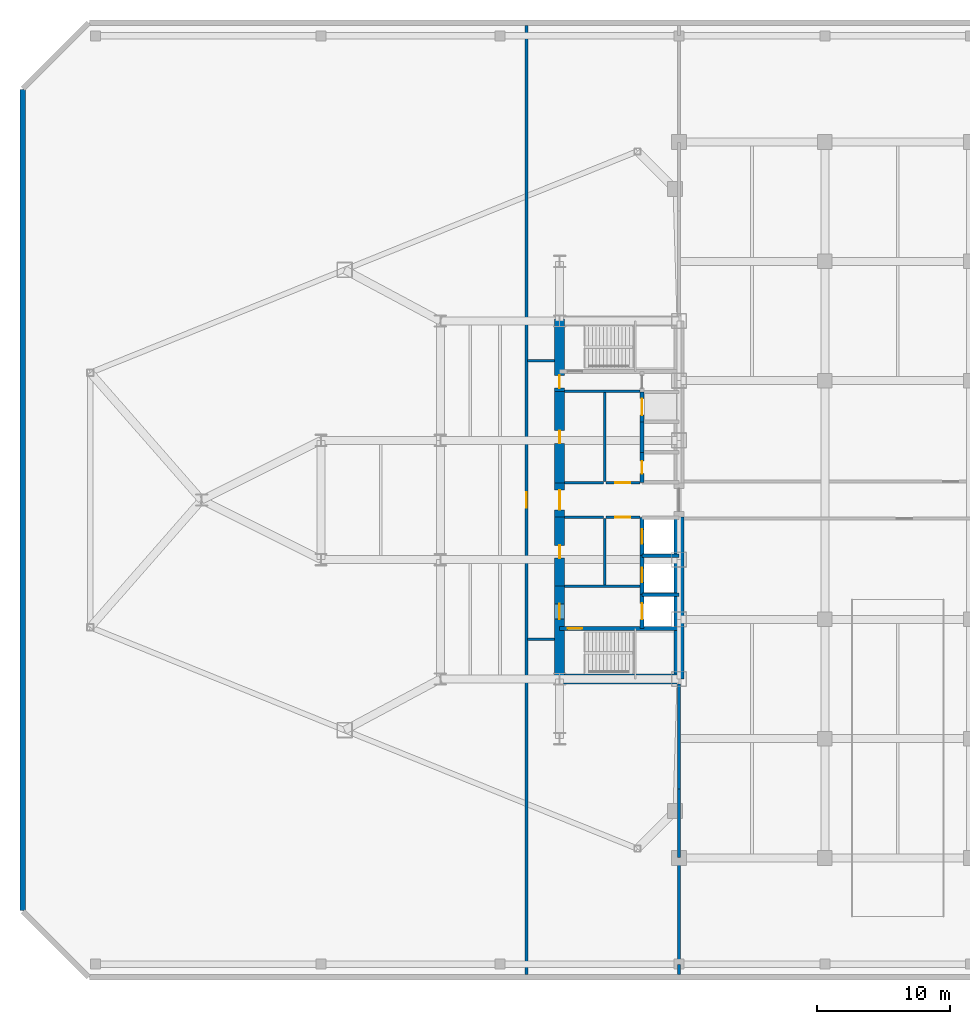
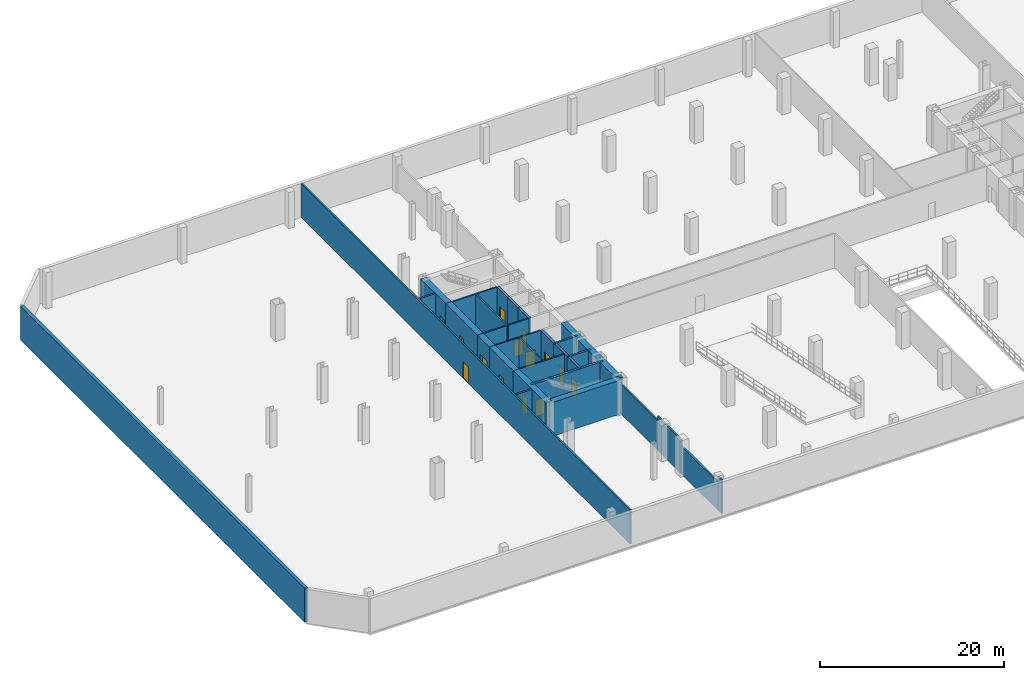
# One storey, part 9 of 18: 32 walls, 14 doors, 14 openings.
"""IFC4 building model written with IfcOpenShell, lengths in metres."""

from ifc_helpers import new_model, si_unit, direction, frame, frame_2d, origin, place, context, subcontext, project, spatial, rectangle, extrude, source, transform, mapped, material, layer, layer_set, type_object, type_shapes, element, fill, save


model = new_model("IFC4")

# Units and contexts
model_context = context("Model", 3, precision=1e-05, world=origin(), true_north=direction((0.0, 1.0)))
body_context = subcontext(model_context, "Body", "Model", "MODEL_VIEW")
ifc_project = project(units=[si_unit("LENGTHUNIT", "METRE"), si_unit("AREAUNIT", "SQUARE_METRE"), si_unit("VOLUMEUNIT", "CUBIC_METRE"), si_unit("PLANEANGLEUNIT", "RADIAN"), si_unit("MASSUNIT", "GRAM", prefix="KILO")], contexts=[model_context])

# Site, building, storey
site_placement = place(None, origin())
site = spatial("IfcSite", under=ifc_project, at=site_placement, CompositionType="ELEMENT")
building_placement = place(site_placement, origin())
building = spatial("IfcBuilding", under=site, at=building_placement, Name="Seokmaru Belvedere", CompositionType="ELEMENT")
storey_placement = place(building_placement, frame((0.0, 0.0, -4.800048828125)))
storey = spatial("IfcBuildingStorey", under=building, at=storey_placement, Name="B1", CompositionType="ELEMENT", Elevation=-4.800048828125)

# Walls
ifc_material_1 = material(Name="Fire-Rated Gypsum Shaftwall")
ifc_layer_1 = layer(ifc_material_1, 0.179931640625)
ifc_layer_set_1 = layer_set([ifc_layer_1], Name="Fire-Rated Gypsum Shaftwall")
wall_type_1 = type_object("IfcWallType", Name="Core Service Fire Partition 180", PredefinedType="PARTITIONING", material=ifc_layer_set_1)
for number, where, z_axis, x_axis, name in (
    (1, (-36.14990234375, -6.5, 0.0), (0.0, 0.0, 1.0), (1.0, 0.0, 0.0), "B1 West Firefighting Lobby Partition"),
    (2, (-36.14990234375, 8.199951171875, 0.0), (0.0, 0.0, 1.0), (1.0, 0.0, 0.0), "B1 West Smokeproof Vestibule Partition"),
):
    element("IfcWall", number, at=place(storey_placement, frame(where, z_axis=z_axis, x_axis=x_axis)), inside=storey, type_object=wall_type_1, Name=name, PredefinedType="PARTITIONING", context=body_context, shape_type="SweptSolid", body=[
        extrude(rectangle(XDim=5.699951171875, YDim=0.179931640625, at=frame_2d((2.85009765625, 0.0))), origin(), (0.0, 0.0, 1.0), 4.52001953125),
    ])
wall_1_placement = place(storey_placement, frame((-33.10009765625, -6.419921875, 0.0), z_axis=(0.0, 0.0, 1.0), x_axis=(0.0, 1.0, 0.0)))
element("IfcWall", 3, at=wall_1_placement, inside=storey, type_object=wall_type_1, Name="B1 West South Core Service Back Wall", PredefinedType="PARTITIONING", context=body_context, shape_type="SweptSolid", body=[
    extrude(rectangle(XDim=5.0400390625, YDim=0.179931640625, at=frame_2d((2.52001953125, 0.0))), origin(), (0.0, 0.0, 1.0), 4.52001953125),
])
wall_2_placement = place(storey_placement, frame((-33.10009765625, 1.3798828125, 0.0), z_axis=(0.0, 0.0, 1.0), x_axis=(0.0, 1.0, 0.0)))
element("IfcWall", 4, at=wall_2_placement, inside=storey, type_object=wall_type_1, Name="B1 West North Core Service Back Wall", PredefinedType="PARTITIONING", context=body_context, shape_type="SweptSolid", body=[
    extrude(rectangle(XDim=6.740234375, YDim=0.179931640625, at=frame_2d((3.3701171875, 0.0))), origin(), (0.0, 0.0, 1.0), 4.52001953125),
])

# Wall, opening, door
wall_3_placement = place(storey_placement, frame((-33.02001953125, -1.300048828125, 0.0), z_axis=(0.0, 0.0, 1.0), x_axis=(1.0, 0.0, 0.0)))
wall_3 = element("IfcWall", 5, at=wall_3_placement, inside=storey, type_object=wall_type_1, Name="B1 West South Lift Lobby Foyer Wall", PredefinedType="PARTITIONING", context=body_context, shape_type="SweptSolid", body=[
    extrude(rectangle(XDim=2.570068359375, YDim=0.179931640625, at=frame_2d((1.28515625, 0.0))), origin(), (0.0, 0.0, 1.0), 4.52001953125),
])
opening_1_placement = place(wall_3_placement, frame((0.7099609375, 0.0, 0.0)))
opening_1 = element("IfcOpeningElement", 6, at=opening_1_placement, cuts=wall_3, Name="Opening D02", PredefinedType="OPENING", context=body_context, shape_type="SweptSolid", body=[
    extrude(rectangle(XDim=1.14990234375, YDim=2.199951171875, at=frame_2d((0.574951171875, 1.10009765625))), frame((0.0, 0.10009765625, 0.0), z_axis=(0.0, -1.0, 0.0), x_axis=(1.0, 0.0, 0.0)), (0.0, 0.0, 1.0), 0.199951171875),
])
ifc_material_2 = material(Name="Fire-Rated Steel Leaf", Category="steel")
door_type_1 = type_object("IfcDoorType", Name="Lobby and Vestibule Fire Door 1150x2200", OperationType="NOTDEFINED", PredefinedType="DOOR", material=ifc_material_2)
shared_shape_1 = source(origin(), body_context, "Body", "SweptSolid", [
    extrude(rectangle(XDim=1.14990234375, YDim=2.199951171875, at=frame_2d((0.574951171875, 1.10009765625))), frame((0.0, 0.02490234375, 0.0), z_axis=(0.0, -1.0, 0.0), x_axis=(1.0, 0.0, 0.0)), (0.0, 0.0, 1.0), 0.050048828125),
])
type_shapes(door_type_1, [shared_shape_1])
door_1_placement = place(opening_1_placement, origin())
door_1 = element("IfcDoor", 7, at=door_1_placement, inside=storey, type_object=door_type_1, Name="B1 West South Core Foyer Door", OperationType="SINGLE_SWING_LEFT", OverallHeight=2.199951171875, OverallWidth=1.14990234375, PredefinedType="DOOR", context=body_context, shape_type="MappedRepresentation", body=[
    mapped(shared_shape_1, transform((0.0, 0.0, 0.0), scale=1.0)),
])
fill(opening_1, door_1)

wall_4_placement = place(storey_placement, frame((-33.02001953125, 1.300048828125, 0.0), z_axis=(0.0, 0.0, 1.0), x_axis=(1.0, 0.0, 0.0)))
wall_4 = element("IfcWall", 8, at=wall_4_placement, inside=storey, type_object=wall_type_1, Name="B1 West North Lift Lobby Foyer Wall", PredefinedType="PARTITIONING", context=body_context, shape_type="SweptSolid", body=[
    extrude(rectangle(XDim=2.570068359375, YDim=0.179931640625, at=frame_2d((1.28515625, 0.0))), origin(), (0.0, 0.0, 1.0), 4.52001953125),
])
opening_2_placement = place(wall_4_placement, frame((0.7099609375, 0.0, 0.0)))
opening_2 = element("IfcOpeningElement", 9, at=opening_2_placement, cuts=wall_4, Name="Opening D02", PredefinedType="OPENING", context=body_context, shape_type="SweptSolid", body=[
    extrude(rectangle(XDim=1.14990234375, YDim=2.199951171875, at=frame_2d((0.574951171875, 1.10009765625))), frame((0.0, 0.10009765625, 0.0), z_axis=(0.0, -1.0, 0.0), x_axis=(1.0, 0.0, 0.0)), (0.0, 0.0, 1.0), 0.199951171875),
])
door_2_placement = place(opening_2_placement, origin())
door_2 = element("IfcDoor", 10, at=door_2_placement, inside=storey, type_object=door_type_1, Name="B1 West North Lift Lobby Door", OperationType="SINGLE_SWING_RIGHT", OverallHeight=2.199951171875, OverallWidth=1.14990234375, PredefinedType="DOOR", context=body_context, shape_type="MappedRepresentation", body=[
    mapped(shared_shape_1, transform((0.0, 0.0, 0.0), scale=1.0)),
])
fill(opening_2, door_2)

# Walls
for number, where, z_axis, x_axis, name in (
    (11, (-36.14990234375, -1.300048828125, 0.0), (0.0, 0.0, 1.0), (1.0, 0.0, 0.0), "B1 West Foyer Side Wall S"),
    (12, (-36.14990234375, 1.300048828125, 0.0), (0.0, 0.0, 1.0), (1.0, 0.0, 0.0), "B1 West Foyer Side Wall N"),
):
    element("IfcWall", number, at=place(storey_placement, frame(where, z_axis=z_axis, x_axis=x_axis)), inside=storey, type_object=wall_type_1, Name=name, PredefinedType="PARTITIONING", context=body_context, shape_type="SweptSolid", body=[
        extrude(rectangle(XDim=2.949951171875, YDim=0.179931640625, at=frame_2d((1.47509765625, 0.0))), origin(), (0.0, 0.0, 1.0), 4.52001953125),
    ])
ifc_material_3 = material(Name="Concrete C50 (50 MPa)", Category="concrete")
ifc_layer_2 = layer(ifc_material_3, 0.25)
ifc_layer_set_2 = layer_set([ifc_layer_2], Name="Concrete C50 (50 MPa)")
wall_type_2 = type_object("IfcWallType", Name="Hoistway Transverse Concrete Divider Wall 250", PredefinedType="SHEAR", material=ifc_layer_set_2)
for number, where, z_axis, x_axis, name in (
    (13, (-30.300048828125, -7.14990234375, 0.0), (0.0, 0.0, 1.0), (1.0, 0.0, 0.0), "B1 West Hoistway Divider Core Wall 1"),
    (14, (-30.300048828125, -4.199951171875, 0.0), (0.0, 0.0, 1.0), (1.0, 0.0, 0.0), "B1 West Hoistway Divider Core Wall 2"),
):
    element("IfcWall", number, at=place(storey_placement, frame(where, z_axis=z_axis, x_axis=x_axis)), inside=storey, type_object=wall_type_2, Name=name, PredefinedType="SHEAR", context=body_context, shape_type="SweptSolid", body=[
        extrude(rectangle(XDim=2.800048828125, YDim=0.25, at=frame_2d((1.39990234375, 0.0))), origin(), (0.0, 0.0, 1.0), 4.52001953125),
    ])
ifc_layer_3 = layer(ifc_material_1, 0.199951171875)
ifc_layer_set_3 = layer_set([ifc_layer_3], Name="Fire-Rated Gypsum Shaftwall")
wall_type_3 = type_object("IfcWallType", Name="Inter-Tenancy Fire Compartment Partition 200", PredefinedType="PARTITIONING", material=ifc_layer_set_3)
for number, where, z_axis, x_axis, name in (
    (15, (-38.9150390625, -10.5, 0.0), (0.0, 0.0, 1.0), (1.0, 0.0, 0.0), "B1 Interior Partition 001"),
    (16, (-38.9150390625, 10.5, 0.0), (0.0, 0.0, 1.0), (1.0, 0.0, 0.0), "B1 Interior Partition 006"),
):
    element("IfcWall", number, at=place(storey_placement, frame(where, z_axis=z_axis, x_axis=x_axis)), inside=storey, type_object=wall_type_3, Name=name, PredefinedType="PARTITIONING", context=body_context, shape_type="SweptSolid", body=[
        extrude(rectangle(XDim=2.03515625, YDim=0.199951171875, at=frame_2d((1.017578125, 0.0))), origin(), (0.0, 0.0, 1.0), 4.52001953125),
    ])

# Wall, opening, door
wall_5_placement = place(storey_placement, frame((-39.0, -35.794921875, 0.0), z_axis=(0.0, 0.0, 1.0), x_axis=(0.0, 1.0, 0.0)))
wall_5 = element("IfcWall", 17, at=wall_5_placement, inside=storey, type_object=wall_type_3, Name="B1 Interior Partition 008", PredefinedType="PARTITIONING", context=body_context, shape_type="SweptSolid", body=[
    extrude(rectangle(XDim=71.58984375, YDim=0.199951171875, at=frame_2d((35.794921875, 0.0))), origin(), (0.0, 0.0, 1.0), 4.52001953125),
])
opening_3_placement = place(wall_5_placement, frame((35.219970703125, 0.0, 0.0)))
opening_3 = element("IfcOpeningElement", 18, at=opening_3_placement, cuts=wall_5, Name="Opening D02", PredefinedType="OPENING", context=body_context, shape_type="SweptSolid", body=[
    extrude(rectangle(XDim=1.14990234375, YDim=2.199951171875, at=frame_2d((0.574951171875, 1.10009765625))), frame((0.0, 0.10986328125, 0.0), z_axis=(0.0, -1.0, 0.0), x_axis=(1.0, 0.0, 0.0)), (0.0, 0.0, 1.0), 0.219970703125),
])
door_3_placement = place(opening_3_placement, origin())
door_3 = element("IfcDoor", 19, at=door_3_placement, inside=storey, type_object=door_type_1, Name="B1 Interior Door 001", OperationType="SINGLE_SWING_LEFT", OverallHeight=2.199951171875, OverallWidth=1.14990234375, PredefinedType="DOOR", context=body_context, shape_type="MappedRepresentation", body=[
    mapped(shared_shape_1, transform((0.0, 0.0, 0.0), scale=1.0)),
])
fill(opening_3, door_3)

# Walls
wall_6_placement = place(storey_placement, frame((-27.5, -35.794921875, 0.0), z_axis=(0.0, 0.0, 1.0), x_axis=(0.0, 1.0, 0.0)))
element("IfcWall", 20, at=wall_6_placement, inside=storey, type_object=wall_type_3, Name="B1 Interior Partition 009", PredefinedType="PARTITIONING", context=body_context, shape_type="SweptSolid", body=[
    extrude(rectangle(XDim=0.77490234375, YDim=0.199951171875, at=frame_2d((0.387451171875, 0.0))), origin(), (0.0, 0.0, 1.0), 4.52001953125),
])
wall_7_placement = place(storey_placement, frame((-27.5, -35.02001953125, 0.0), z_axis=(0.0, 0.0, 1.0), x_axis=(0.0, 1.0, 0.0)))
element("IfcWall", 21, at=wall_7_placement, inside=storey, type_object=wall_type_3, Name="B1 Interior Partition 009 Part 2", PredefinedType="PARTITIONING", context=body_context, shape_type="SweptSolid", body=[
    extrude(rectangle(XDim=8.0400390625, YDim=0.199951171875, at=frame_2d((4.02001953125, 0.0))), origin(), (0.0, 0.0, 1.0), 3.719970703125),
])
wall_8_placement = place(storey_placement, frame((-27.5, -26.97998046875, 0.0), z_axis=(0.0, 0.0, 1.0), x_axis=(0.0, 1.0, 0.0)))
element("IfcWall", 22, at=wall_8_placement, inside=storey, type_object=wall_type_3, Name="B1 Interior Partition 009 Part 3", PredefinedType="PARTITIONING", context=body_context, shape_type="SweptSolid", body=[
    extrude(rectangle(XDim=5.16748046875, YDim=0.199951171875, at=frame_2d((2.583740234375, 0.0))), origin(), (0.0, 0.0, 1.0), 4.52001953125),
])
wall_9_placement = place(storey_placement, frame((-27.5, -21.8125, 0.0), z_axis=(0.0, 0.0, 1.0), x_axis=(0.0, 1.0, 0.0)))
element("IfcWall", 23, at=wall_9_placement, inside=storey, type_object=wall_type_3, Name="B1 Interior Partition 009 Part 4", PredefinedType="PARTITIONING", context=body_context, shape_type="SweptSolid", body=[
    extrude(rectangle(XDim=7.9326171875, YDim=0.199951171875, at=frame_2d((3.96630859375, 0.0))), origin(), (0.0, 0.0, 1.0), 3.93212890625),
])

# Wall, opening, door
ifc_layer_4 = layer(ifc_material_3, 0.300048828125)
ifc_layer_set_4 = layer_set([ifc_layer_4], Name="Concrete C50 (50 MPa)")
wall_type_4 = type_object("IfcWallType", Name="Internal Core Stair and Hoistway Wall 300", PredefinedType="SHEAR", material=ifc_layer_set_4)
wall_10_placement = place(storey_placement, frame((-36.5, -9.699951171875, 0.0), z_axis=(0.0, 0.0, 1.0), x_axis=(1.0, 0.0, 0.0)))
wall_10 = element("IfcWall", 24, at=wall_10_placement, inside=storey, type_object=wall_type_4, Name="B1 West Stair ST-1 Enclosure Wall", PredefinedType="SHEAR", context=body_context, shape_type="SweptSolid", body=[
    extrude(rectangle(XDim=9.0, YDim=0.300048828125, at=frame_2d((4.5, 0.0))), origin(), (0.0, 0.0, 1.0), 4.52001953125),
])
opening_4_placement = place(wall_10_placement, frame((0.60009765625, 0.0, 0.0)))
opening_4 = element("IfcOpeningElement", 25, at=opening_4_placement, cuts=wall_10, Name="Opening D01", PredefinedType="OPENING", context=body_context, shape_type="SweptSolid", body=[
    extrude(rectangle(XDim=1.10009765625, YDim=2.199951171875, at=frame_2d((0.550048828125, 1.10009765625))), frame((0.0, 0.16015625, 0.0), z_axis=(0.0, -1.0, 0.0), x_axis=(1.0, 0.0, 0.0)), (0.0, 0.0, 1.0), 0.320068359375),
])
door_type_2 = type_object("IfcDoorType", Name="Special Escape Stair Smokeproof Fire Door 1100x2200", OperationType="NOTDEFINED", PredefinedType="DOOR", material=ifc_material_2)
shared_shape_2 = source(origin(), body_context, "Body", "SweptSolid", [
    extrude(rectangle(XDim=1.10009765625, YDim=2.199951171875, at=frame_2d((0.550048828125, 1.10009765625))), frame((0.0, 0.02490234375, 0.0), z_axis=(0.0, -1.0, 0.0), x_axis=(1.0, 0.0, 0.0)), (0.0, 0.0, 1.0), 0.050048828125),
])
type_shapes(door_type_2, [shared_shape_2])
door_4_placement = place(opening_4_placement, frame((1.10009765625, 0.0, 0.0), z_axis=(0.0, 0.0, 1.0), x_axis=(-1.0, 0.0, 0.0)))
door_4 = element("IfcDoor", 26, at=door_4_placement, inside=storey, type_object=door_type_2, Name="B1 West Special Escape Stair ST-1 Door", OperationType="SINGLE_SWING_LEFT", OverallHeight=2.199951171875, OverallWidth=1.10009765625, PredefinedType="DOOR", context=body_context, shape_type="MappedRepresentation", body=[
    mapped(shared_shape_2, transform((0.0, 0.0, 0.0), scale=1.0)),
])
fill(opening_4, door_4)

wall_11_placement = place(storey_placement, frame((-30.300048828125, -9.679931640625, 0.0), z_axis=(0.0, 0.0, 1.0), x_axis=(0.0, 1.0, 0.0)))
wall_11 = element("IfcWall", 27, at=wall_11_placement, inside=storey, type_object=wall_type_4, Name="B1 West Firefighting Lift Shaft Front Wall", PredefinedType="SHEAR", context=body_context, shape_type="SweptSolid", body=[
    extrude(rectangle(XDim=2.559814453125, YDim=0.300048828125, at=frame_2d((1.27978515625, 0.0))), origin(), (0.0, 0.0, 1.0), 4.52001953125),
])
opening_5_placement = place(wall_11_placement, frame((0.679931640625, 0.0, 0.0)))
opening_5 = element("IfcOpeningElement", 28, at=opening_5_placement, cuts=wall_11, Name="Opening LD2", PredefinedType="OPENING", context=body_context, shape_type="SweptSolid", body=[
    extrude(rectangle(XDim=1.199951171875, YDim=2.25, at=frame_2d((0.60009765625, 1.125))), frame((0.0, 0.16015625, 0.0), z_axis=(0.0, -1.0, 0.0), x_axis=(1.0, 0.0, 0.0)), (0.0, 0.0, 1.0), 0.320068359375),
])
ifc_material_4 = material(Name="Stainless Steel 316", Category="steel")
door_type_3 = type_object("IfcDoorType", Name="Firefighting Lift Sliding Landing Door 1200x2250", OperationType="DOUBLE_DOOR_SLIDING", PredefinedType="DOOR", material=ifc_material_4)
shared_shape_3 = source(origin(), body_context, "Body", "SweptSolid", [
    extrude(rectangle(XDim=1.199951171875, YDim=2.25, at=frame_2d((0.60009765625, 1.125))), frame((0.0, 0.02490234375, 0.0), z_axis=(0.0, -1.0, 0.0), x_axis=(1.0, 0.0, 0.0)), (0.0, 0.0, 1.0), 0.050048828125),
])
type_shapes(door_type_3, [shared_shape_3])
door_5_placement = place(opening_5_placement, origin())
door_5 = element("IfcDoor", 29, at=door_5_placement, inside=storey, type_object=door_type_3, Name="B1 West Firefighting Lift Landing Door", OperationType="DOUBLE_DOOR_SLIDING", OverallHeight=2.25, OverallWidth=1.199951171875, PredefinedType="DOOR", context=body_context, shape_type="MappedRepresentation", body=[
    mapped(shared_shape_3, transform((0.0, 0.0, 0.0), scale=1.0)),
])
fill(opening_5, door_5)

wall_12_placement = place(storey_placement, frame((-30.300048828125, -7.1201171875, 0.0), z_axis=(0.0, 0.0, 1.0), x_axis=(0.0, 1.0, 0.0)))
wall_12 = element("IfcWall", 30, at=wall_12_placement, inside=storey, type_object=wall_type_4, Name="B1 West Low-Rise Lift PL-1 Front Wall", PredefinedType="SHEAR", context=body_context, shape_type="SweptSolid", body=[
    extrude(rectangle(XDim=2.920166015625, YDim=0.300048828125, at=frame_2d((1.4599609375, 0.0))), origin(), (0.0, 0.0, 1.0), 4.52001953125),
])
opening_6_placement = place(wall_12_placement, frame((0.909912109375, 0.0, 0.0)))
opening_6 = element("IfcOpeningElement", 31, at=opening_6_placement, cuts=wall_12, Name="Opening LD1", PredefinedType="OPENING", context=body_context, shape_type="SweptSolid", body=[
    extrude(rectangle(XDim=1.10009765625, YDim=2.199951171875, at=frame_2d((0.550048828125, 1.10009765625))), frame((0.0, 0.16015625, 0.0), z_axis=(0.0, -1.0, 0.0), x_axis=(1.0, 0.0, 0.0)), (0.0, 0.0, 1.0), 0.320068359375),
])
door_type_4 = type_object("IfcDoorType", Name="Passenger Lift Sliding Landing Door 1100x2200", OperationType="DOUBLE_DOOR_SLIDING", PredefinedType="DOOR", material=ifc_material_4)
shared_shape_4 = source(origin(), body_context, "Body", "SweptSolid", [
    extrude(rectangle(XDim=1.10009765625, YDim=2.199951171875, at=frame_2d((0.550048828125, 1.10009765625))), frame((0.0, 0.02490234375, 0.0), z_axis=(0.0, -1.0, 0.0), x_axis=(1.0, 0.0, 0.0)), (0.0, 0.0, 1.0), 0.050048828125),
])
type_shapes(door_type_4, [shared_shape_4])
door_6_placement = place(opening_6_placement, origin())
door_6 = element("IfcDoor", 32, at=door_6_placement, inside=storey, type_object=door_type_4, Name="B1 West Low-Rise Lift PL-1 Landing Door", OperationType="DOUBLE_DOOR_SLIDING", OverallHeight=2.199951171875, OverallWidth=1.10009765625, PredefinedType="DOOR", context=body_context, shape_type="MappedRepresentation", body=[
    mapped(shared_shape_4, transform((0.0, 0.0, 0.0), scale=1.0)),
])
fill(opening_6, door_6)

wall_13_placement = place(storey_placement, frame((-30.300048828125, -4.199951171875, 0.0), z_axis=(0.0, 0.0, 1.0), x_axis=(0.0, 1.0, 0.0)))
wall_13 = element("IfcWall", 33, at=wall_13_placement, inside=storey, type_object=wall_type_4, Name="B1 West Low-Rise Lift PL-2 Front Wall", PredefinedType="SHEAR", context=body_context, shape_type="SweptSolid", body=[
    extrude(rectangle(XDim=2.8798828125, YDim=0.300048828125, at=frame_2d((1.43994140625, 0.0))), origin(), (0.0, 0.0, 1.0), 4.52001953125),
])
opening_7_placement = place(wall_13_placement, frame((0.889892578125, 0.0, 0.0)))
opening_7 = element("IfcOpeningElement", 34, at=opening_7_placement, cuts=wall_13, Name="Opening LD1", PredefinedType="OPENING", context=body_context, shape_type="SweptSolid", body=[
    extrude(rectangle(XDim=1.10009765625, YDim=2.199951171875, at=frame_2d((0.550048828125, 1.10009765625))), frame((0.0, 0.16015625, 0.0), z_axis=(0.0, -1.0, 0.0), x_axis=(1.0, 0.0, 0.0)), (0.0, 0.0, 1.0), 0.320068359375),
])
door_7_placement = place(opening_7_placement, origin())
door_7 = element("IfcDoor", 35, at=door_7_placement, inside=storey, type_object=door_type_4, Name="B1 West Low-Rise Lift PL-2 Landing Door", OperationType="DOUBLE_DOOR_SLIDING", OverallHeight=2.199951171875, OverallWidth=1.10009765625, PredefinedType="DOOR", context=body_context, shape_type="MappedRepresentation", body=[
    mapped(shared_shape_4, transform((0.0, 0.0, 0.0), scale=1.0)),
])
fill(opening_7, door_7)

wall_14_placement = place(storey_placement, frame((-30.300048828125, 1.320068359375, 0.0), z_axis=(0.0, 0.0, 1.0), x_axis=(0.0, 1.0, 0.0)))
wall_14 = element("IfcWall", 36, at=wall_14_placement, inside=storey, type_object=wall_type_4, Name="B1 West North Hoistway Wall PH1", PredefinedType="SHEAR", context=body_context, shape_type="SweptSolid", body=[
    extrude(rectangle(XDim=2.280029296875, YDim=0.300048828125, at=frame_2d((1.14013671875, 0.0))), origin(), (0.0, 0.0, 1.0), 4.52001953125),
])
opening_8_placement = place(wall_14_placement, frame((0.6650390625, 0.0, 0.0)))
opening_8 = element("IfcOpeningElement", 37, at=opening_8_placement, cuts=wall_14, Name="Opening D04", PredefinedType="OPENING", context=body_context, shape_type="SweptSolid", body=[
    extrude(rectangle(XDim=0.949951171875, YDim=2.14990234375, at=frame_2d((0.47509765625, 1.074951171875))), frame((0.0, 0.16015625, 0.0), z_axis=(0.0, -1.0, 0.0), x_axis=(1.0, 0.0, 0.0)), (0.0, 0.0, 1.0), 0.320068359375),
])
door_type_5 = type_object("IfcDoorType", Name="Core Service Room Fire Door 950x2150", OperationType="NOTDEFINED", PredefinedType="DOOR", material=ifc_material_2)
shared_shape_5 = source(origin(), body_context, "Body", "SweptSolid", [
    extrude(rectangle(XDim=0.949951171875, YDim=2.14990234375, at=frame_2d((0.47509765625, 1.074951171875))), frame((0.0, 0.02490234375, 0.0), z_axis=(0.0, -1.0, 0.0), x_axis=(1.0, 0.0, 0.0)), (0.0, 0.0, 1.0), 0.050048828125),
])
type_shapes(door_type_5, [shared_shape_5])
door_8_placement = place(opening_8_placement, origin())
door_8 = element("IfcDoor", 38, at=door_8_placement, inside=storey, type_object=door_type_5, Name="B1 West Telecom Room Door", OperationType="SINGLE_SWING_LEFT", OverallHeight=2.14990234375, OverallWidth=0.949951171875, PredefinedType="DOOR", context=body_context, shape_type="MappedRepresentation", body=[
    mapped(shared_shape_5, transform((0.0, 0.0, 0.0), scale=1.0)),
])
fill(opening_8, door_8)

# Wall
wall_15_placement = place(storey_placement, frame((-30.300048828125, 3.60009765625, 0.0), z_axis=(0.0, 0.0, 1.0), x_axis=(0.0, 1.0, 0.0)))
element("IfcWall", 39, at=wall_15_placement, inside=storey, type_object=wall_type_4, Name="B1 West North Hoistway Wall PH2", PredefinedType="SHEAR", context=body_context, shape_type="SweptSolid", body=[
    extrude(rectangle(XDim=2.2998046875, YDim=0.300048828125, at=frame_2d((1.14990234375, 0.0))), origin(), (0.0, 0.0, 1.0), 4.52001953125),
])

# Wall, opening, door
wall_16_placement = place(storey_placement, frame((-30.300048828125, 5.89990234375, 0.0), z_axis=(0.0, 0.0, 1.0), x_axis=(0.0, 1.0, 0.0)))
wall_16 = element("IfcWall", 40, at=wall_16_placement, inside=storey, type_object=wall_type_4, Name="B1 West North Hoistway Wall OBS", PredefinedType="SHEAR", context=body_context, shape_type="SweptSolid", body=[
    extrude(rectangle(XDim=2.25, YDim=0.300048828125, at=frame_2d((1.125, 0.0))), origin(), (0.0, 0.0, 1.0), 4.52001953125),
])
opening_9_placement = place(wall_16_placement, frame((0.4951171875, 0.0, 0.0)))
opening_9 = element("IfcOpeningElement", 41, at=opening_9_placement, cuts=wall_16, Name="Opening LD3", PredefinedType="OPENING", context=body_context, shape_type="SweptSolid", body=[
    extrude(rectangle(XDim=1.25, YDim=2.300048828125, at=frame_2d((0.625, 1.14990234375))), frame((0.0, 0.16015625, 0.0), z_axis=(0.0, -1.0, 0.0), x_axis=(1.0, 0.0, 0.0)), (0.0, 0.0, 1.0), 0.320068359375),
])
door_type_6 = type_object("IfcDoorType", Name="Observatory Shuttle Sliding Landing Door 1250x2300", OperationType="DOUBLE_DOOR_SLIDING", PredefinedType="DOOR", material=ifc_material_4)
shared_shape_6 = source(origin(), body_context, "Body", "SweptSolid", [
    extrude(rectangle(XDim=1.25, YDim=2.300048828125, at=frame_2d((0.625, 1.14990234375))), frame((0.0, 0.02490234375, 0.0), z_axis=(0.0, -1.0, 0.0), x_axis=(1.0, 0.0, 0.0)), (0.0, 0.0, 1.0), 0.050048828125),
])
type_shapes(door_type_6, [shared_shape_6])
door_9_placement = place(opening_9_placement, origin())
door_9 = element("IfcDoor", 42, at=door_9_placement, inside=storey, type_object=door_type_6, Name="B1 West Express Observatory Lift Landing Door", OperationType="DOUBLE_DOOR_SLIDING", OverallHeight=2.300048828125, OverallWidth=1.25, PredefinedType="DOOR", context=body_context, shape_type="MappedRepresentation", body=[
    mapped(shared_shape_6, transform((0.0, 0.0, 0.0), scale=1.0)),
])
fill(opening_9, door_9)

# Walls
ifc_material_5 = material(Name="Concrete C60 (60 MPa)", Category="concrete")
ifc_layer_5 = layer(ifc_material_5, 0.75)
ifc_layer_set_5 = layer_set([ifc_layer_5], Name="Concrete C60 (60 MPa)")
wall_type_5 = type_object("IfcWallType", Name="Lower Tower Reinforced Concrete Core Wall 750", PredefinedType="SHEAR", material=ifc_layer_set_5)
wall_17_placement = place(storey_placement, frame((-27.5, -13.5, 0.0), z_axis=(0.0, 0.0, 1.0), x_axis=(0.0, 1.0, 0.0)))
element("IfcWall", 43, at=wall_17_placement, inside=storey, type_object=wall_type_5, Name="B1 West Portal Spine Core Wall South", PredefinedType="SHEAR", context=body_context, shape_type="SweptSolid", body=[
    extrude(rectangle(XDim=12.199951171875, YDim=0.75, at=frame_2d((6.10009765625, 0.0))), origin(), (0.0, 0.0, 1.0), 4.52001953125),
])
wall_18_placement = place(storey_placement, frame((-36.5, -13.5, 0.0), z_axis=(0.0, 0.0, 1.0), x_axis=(1.0, 0.0, 0.0)))
element("IfcWall", 44, at=wall_18_placement, inside=storey, type_object=wall_type_5, Name="B1 West South Core Wall", PredefinedType="SHEAR", context=body_context, shape_type="SweptSolid", body=[
    extrude(rectangle(XDim=9.0, YDim=0.75, at=frame_2d((4.5, 0.0))), origin(), (0.0, 0.0, 1.0), 4.52001953125),
])

# Wall, opening, door
wall_19_placement = place(storey_placement, frame((-36.5, -13.64990234375, 0.0), z_axis=(0.0, 0.0, 1.0), x_axis=(0.0, 1.0, 0.0)))
wall_19 = element("IfcWall", 45, at=wall_19_placement, inside=storey, type_object=wall_type_5, Name="B1 West West Core Wall FF", PredefinedType="SHEAR", context=body_context, shape_type="SweptSolid", body=[
    extrude(rectangle(XDim=7.14990234375, YDim=0.75, at=frame_2d((3.574951171875, 0.0))), origin(), (0.0, 0.0, 1.0), 4.52001953125),
])
opening_10_placement = place(wall_19_placement, frame((4.675048828125, 0.0, 0.0)))
opening_10 = element("IfcOpeningElement", 46, at=opening_10_placement, cuts=wall_19, Name="Opening D02", PredefinedType="OPENING", context=body_context, shape_type="SweptSolid", body=[
    extrude(rectangle(XDim=1.14990234375, YDim=2.199951171875, at=frame_2d((0.574951171875, 1.10009765625))), frame((0.0, 0.385009765625, 0.0), z_axis=(0.0, -1.0, 0.0), x_axis=(1.0, 0.0, 0.0)), (0.0, 0.0, 1.0), 0.77001953125),
])
door_10_placement = place(opening_10_placement, frame((1.14990234375, 0.0, 0.0), z_axis=(0.0, 0.0, 1.0), x_axis=(-1.0, 0.0, 0.0)))
door_10 = element("IfcDoor", 47, at=door_10_placement, inside=storey, type_object=door_type_1, Name="B1 West Firefighting Lobby Door", OperationType="SINGLE_SWING_LEFT", OverallHeight=2.199951171875, OverallWidth=1.14990234375, PredefinedType="DOOR", context=body_context, shape_type="MappedRepresentation", body=[
    mapped(shared_shape_1, transform((0.0, 0.0, 0.0), scale=1.0)),
])
fill(opening_10, door_10)

wall_20_placement = place(storey_placement, frame((-36.5, -1.300048828125, 0.0), z_axis=(0.0, 0.0, 1.0), x_axis=(0.0, 1.0, 0.0)))
wall_20 = element("IfcWall", 48, at=wall_20_placement, inside=storey, type_object=wall_type_5, Name="B1 West West Core Wall FOY", PredefinedType="SHEAR", context=body_context, shape_type="SweptSolid", body=[
    extrude(rectangle(XDim=2.60009765625, YDim=0.75, at=frame_2d((1.300048828125, 0.0))), origin(), (0.0, 0.0, 1.0), 4.52001953125),
])
opening_11_placement = place(wall_20_placement, frame((0.550048828125, 0.0, 0.0)))
opening_11 = element("IfcOpeningElement", 49, at=opening_11_placement, cuts=wall_20, Name="Opening D08", PredefinedType="OPENING", context=body_context, shape_type="SweptSolid", body=[
    extrude(rectangle(XDim=1.5, YDim=2.300048828125, at=frame_2d((0.75, 1.14990234375))), frame((0.0, 0.385009765625, 0.0), z_axis=(0.0, -1.0, 0.0), x_axis=(1.0, 0.0, 0.0)), (0.0, 0.0, 1.0), 0.77001953125),
])
door_type_7 = type_object("IfcDoorType", Name="Cross-Corridor Compartment Double Fire Door 1500x2300", OperationType="DOUBLE_SWING_LEFT", PredefinedType="DOOR", material=ifc_material_2)
shared_shape_7 = source(origin(), body_context, "Body", "SweptSolid", [
    extrude(rectangle(XDim=1.5, YDim=2.300048828125, at=frame_2d((0.75, 1.14990234375))), frame((0.0, 0.02490234375, 0.0), z_axis=(0.0, -1.0, 0.0), x_axis=(1.0, 0.0, 0.0)), (0.0, 0.0, 1.0), 0.050048828125),
])
type_shapes(door_type_7, [shared_shape_7])
door_11_placement = place(opening_11_placement, origin())
door_11 = element("IfcDoor", 50, at=door_11_placement, inside=storey, type_object=door_type_7, Name="B1 West Core Foyer Compartment Door", OperationType="DOUBLE_SWING_LEFT", OverallHeight=2.300048828125, OverallWidth=1.5, PredefinedType="DOOR", context=body_context, shape_type="MappedRepresentation", body=[
    mapped(shared_shape_7, transform((0.0, 0.0, 0.0), scale=1.0)),
])
fill(opening_11, door_11)

wall_21_placement = place(storey_placement, frame((-36.5, 8.199951171875, 0.0), z_axis=(0.0, 0.0, 1.0), x_axis=(0.0, 1.0, 0.0)))
wall_21 = element("IfcWall", 51, at=wall_21_placement, inside=storey, type_object=wall_type_5, Name="B1 West West Core Wall VST", PredefinedType="SHEAR", context=body_context, shape_type="SweptSolid", body=[
    extrude(rectangle(XDim=5.449951171875, YDim=0.75, at=frame_2d((2.72509765625, 0.0))), origin(), (0.0, 0.0, 1.0), 4.52001953125),
])
opening_12_placement = place(wall_21_placement, frame((0.2451171875, 0.0, 0.0)))
opening_12 = element("IfcOpeningElement", 52, at=opening_12_placement, cuts=wall_21, Name="Opening D04", PredefinedType="OPENING", context=body_context, shape_type="SweptSolid", body=[
    extrude(rectangle(XDim=0.949951171875, YDim=2.14990234375, at=frame_2d((0.47509765625, 1.074951171875))), frame((0.0, 0.385009765625, 0.0), z_axis=(0.0, -1.0, 0.0), x_axis=(1.0, 0.0, 0.0)), (0.0, 0.0, 1.0), 0.77001953125),
])
door_12_placement = place(opening_12_placement, frame((0.949951171875, 0.0, 0.0), z_axis=(0.0, 0.0, 1.0), x_axis=(-1.0, 0.0, 0.0)))
door_12 = element("IfcDoor", 53, at=door_12_placement, inside=storey, type_object=door_type_5, Name="B1 West Smokeproof Vestibule Door", OperationType="SINGLE_SWING_RIGHT", OverallHeight=2.14990234375, OverallWidth=0.949951171875, PredefinedType="DOOR", context=body_context, shape_type="MappedRepresentation", body=[
    mapped(shared_shape_5, transform((0.0, 0.0, 0.0), scale=1.0)),
])
fill(opening_12, door_12)

wall_22_placement = place(storey_placement, frame((-36.5, -6.5, 0.0), z_axis=(0.0, 0.0, 1.0), x_axis=(0.0, 1.0, 0.0)))
wall_22 = element("IfcWall", 54, at=wall_22_placement, inside=storey, type_object=wall_type_5, Name="B1 West West Core Wall CS1", PredefinedType="SHEAR", context=body_context, shape_type="SweptSolid", body=[
    extrude(rectangle(XDim=5.199951171875, YDim=0.75, at=frame_2d((2.60009765625, 0.0))), origin(), (0.0, 0.0, 1.0), 4.52001953125),
])
opening_13_placement = place(wall_22_placement, frame((2.125, 0.0, 0.0)))
opening_13 = element("IfcOpeningElement", 55, at=opening_13_placement, cuts=wall_22, Name="Opening D04", PredefinedType="OPENING", context=body_context, shape_type="SweptSolid", body=[
    extrude(rectangle(XDim=0.949951171875, YDim=2.14990234375, at=frame_2d((0.47509765625, 1.074951171875))), frame((0.0, 0.385009765625, 0.0), z_axis=(0.0, -1.0, 0.0), x_axis=(1.0, 0.0, 0.0)), (0.0, 0.0, 1.0), 0.77001953125),
])
door_13_placement = place(opening_13_placement, origin())
door_13 = element("IfcDoor", 56, at=door_13_placement, inside=storey, type_object=door_type_5, Name="B1 West Core Service Room Door 1", OperationType="SINGLE_SWING_LEFT", OverallHeight=2.14990234375, OverallWidth=0.949951171875, PredefinedType="DOOR", context=body_context, shape_type="MappedRepresentation", body=[
    mapped(shared_shape_5, transform((0.0, 0.0, 0.0), scale=1.0)),
])
fill(opening_13, door_13)

wall_23_placement = place(storey_placement, frame((-36.5, 1.300048828125, 0.0), z_axis=(0.0, 0.0, 1.0), x_axis=(0.0, 1.0, 0.0)))
wall_23 = element("IfcWall", 57, at=wall_23_placement, inside=storey, type_object=wall_type_5, Name="B1 West West Core Wall CS2", PredefinedType="SHEAR", context=body_context, shape_type="SweptSolid", body=[
    extrude(rectangle(XDim=6.89990234375, YDim=0.75, at=frame_2d((3.449951171875, 0.0))), origin(), (0.0, 0.0, 1.0), 4.52001953125),
])
opening_14_placement = place(wall_23_placement, frame((2.97509765625, 0.0, 0.0)))
opening_14 = element("IfcOpeningElement", 58, at=opening_14_placement, cuts=wall_23, Name="Opening D04", PredefinedType="OPENING", context=body_context, shape_type="SweptSolid", body=[
    extrude(rectangle(XDim=0.949951171875, YDim=2.14990234375, at=frame_2d((0.47509765625, 1.074951171875))), frame((0.0, 0.385009765625, 0.0), z_axis=(0.0, -1.0, 0.0), x_axis=(1.0, 0.0, 0.0)), (0.0, 0.0, 1.0), 0.77001953125),
])
door_14_placement = place(opening_14_placement, origin())
door_14 = element("IfcDoor", 59, at=door_14_placement, inside=storey, type_object=door_type_5, Name="B1 West Core Service Room Door 2", OperationType="SINGLE_SWING_RIGHT", OverallHeight=2.14990234375, OverallWidth=0.949951171875, PredefinedType="DOOR", context=body_context, shape_type="MappedRepresentation", body=[
    mapped(shared_shape_5, transform((0.0, 0.0, 0.0), scale=1.0)),
])
fill(opening_14, door_14)

# Wall
ifc_layer_6 = layer(ifc_material_3, 0.39990234375)
ifc_layer_set_6 = layer_set([ifc_layer_6], Name="Concrete C50 (50 MPa)")
wall_type_6 = type_object("IfcWallType", Name="Upper Basement Retaining Wall 400", PredefinedType="USERDEFINED", material=ifc_layer_set_6)
wall_24_placement = place(storey_placement, frame((-77.0, 30.9599609375, 0.0), z_axis=(0.0, 0.0, 1.0), x_axis=(0.0, -1.0, 0.0)))
element("IfcWall", 60, at=wall_24_placement, inside=storey, type_object=wall_type_6, Name="B1 Perimeter Retaining Wall 7", ObjectType="RETAININGWALL", PredefinedType="USERDEFINED", context=body_context, shape_type="SweptSolid", body=[
    extrude(rectangle(XDim=61.919921875, YDim=0.39990234375, at=frame_2d((30.9599609375, 0.0))), origin(), (0.0, 0.0, 1.0), 4.52001953125),
])

save(model, "model.ifc")
